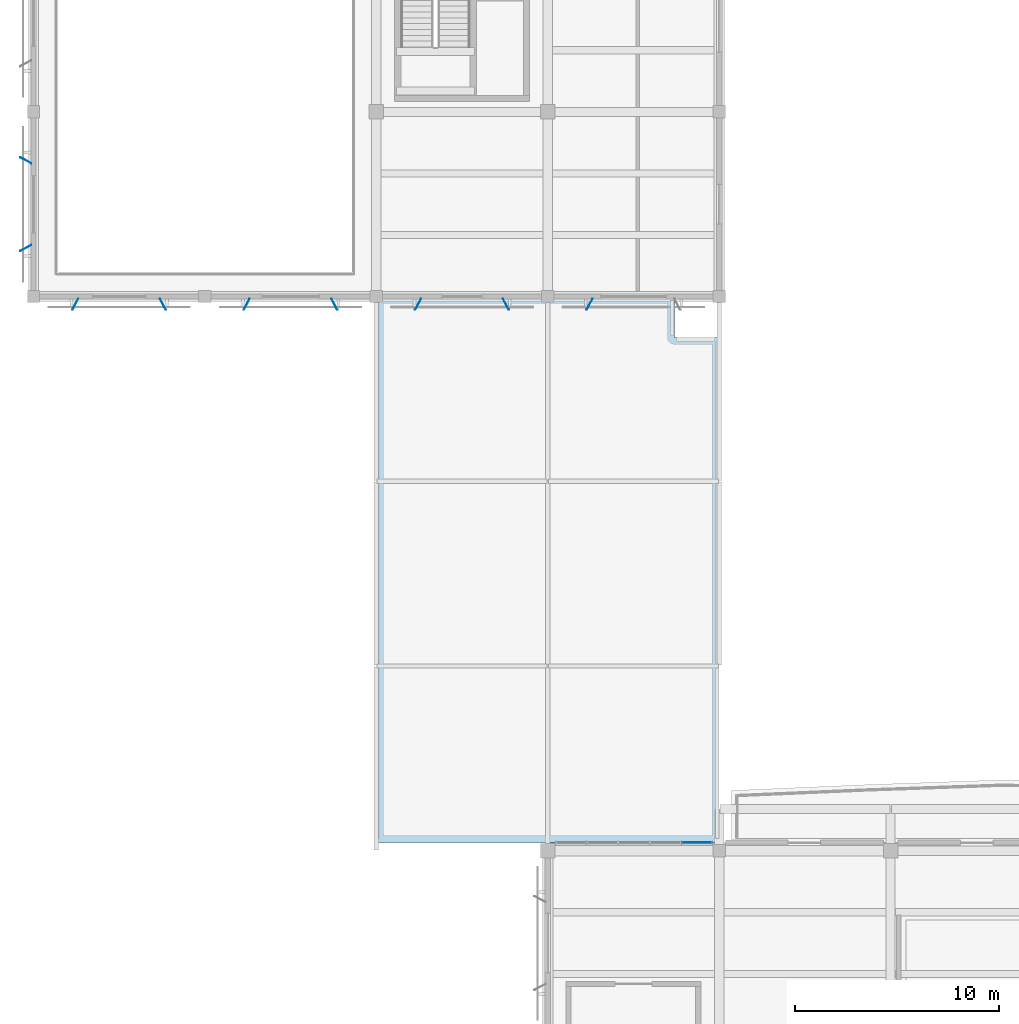
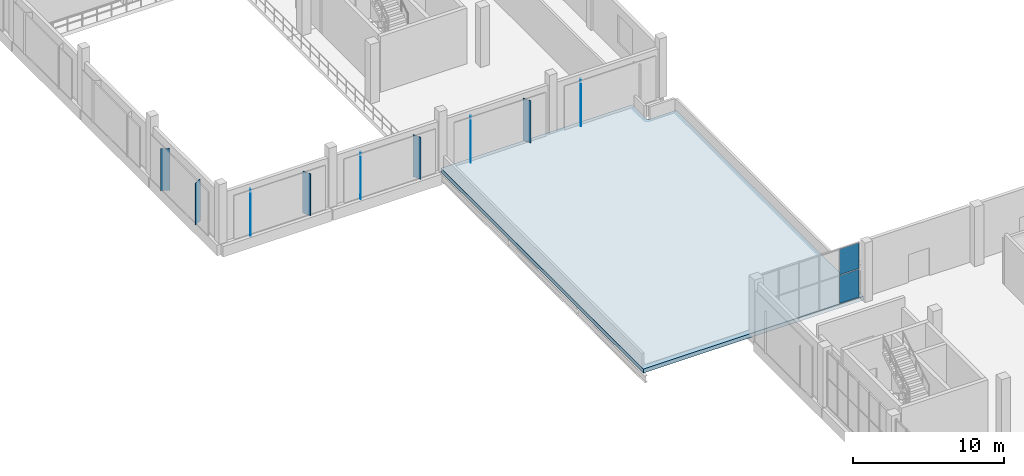
# One storey, part 43 of 80: 11 plates, 1 slab, 1 element without a shape of its own.
"""IFC4 building model written with IfcOpenShell, lengths in metres."""

from ifc_helpers import new_model, si_unit, direction, frame, origin, origin_2d, place, context, subcontext, project, spatial, polyline, rectangle, outline, extrude, material, layer, layer_set, type_object, element, aggregate, save


model = new_model("IFC4")

# Units and contexts
model_context = context("Model", 3, precision=1e-05, world=origin(), true_north=direction((0.0, 1.0)))
body_context = subcontext(model_context, "Body", "Model", "MODEL_VIEW")
ifc_project = project(units=[si_unit("LENGTHUNIT", "METRE"), si_unit("AREAUNIT", "SQUARE_METRE"), si_unit("VOLUMEUNIT", "CUBIC_METRE"), si_unit("PLANEANGLEUNIT", "RADIAN"), si_unit("MASSUNIT", "GRAM", prefix="KILO")], contexts=[model_context])

# Site, building, storey
site_placement = place(None, origin())
site = spatial("IfcSite", under=ifc_project, at=site_placement, CompositionType="ELEMENT")
building_placement = place(site_placement, origin())
building = spatial("IfcBuilding", under=site, at=building_placement, Name="Khurvash Pelagic Aquarium", CompositionType="ELEMENT")
storey_placement = place(building_placement, frame((0.0, 0.0, 10.800048828125)))
storey = spatial("IfcBuildingStorey", under=building, at=storey_placement, Name="L02", CompositionType="ELEMENT", Elevation=10.800048828125)

# Curtain wall, plates
ifc_material_1 = material(Name="Anodised aluminium and low-E laminated glass", Category="aluminium")
curtain_wall_type = type_object("IfcCurtainWallType", Name="CW-06", PredefinedType="USERDEFINED", material=ifc_material_1)
curtain_wall_placement = place(storey_placement, origin())
curtain_wall = element("IfcCurtainWall", 1, at=curtain_wall_placement, inside=storey, type_object=curtain_wall_type, Name="L02 Facade Unitised Curtain Wall CW-06 0160", ObjectType="UNITISED CURTAIN WALL", PredefinedType="USERDEFINED")
ifc_material_2 = material(Name="Low-E laminated double glazing", Category="glass")
ifc_layer_1 = layer(ifc_material_2, 0.030029296875)
ifc_layer_set_1 = layer_set([ifc_layer_1], Name="Low-E laminated double glazing")
plate_type_1 = type_object("IfcPlateType", Name="CG-06", PredefinedType="CURTAIN_PANEL", material=ifc_layer_set_1)
plate_1_placement = place(storey_placement, frame((32.506103515625, 30.14990234375, 0.06005859375), z_axis=(0.0, 0.0, 1.0), x_axis=(-1.0, 0.0, 0.0)))
plate_1 = element("IfcPlate", 2, at=plate_1_placement, type_object=plate_type_1, Name="CW-06 panel 1.1", PredefinedType="CURTAIN_PANEL", context=body_context, shape_type="SweptSolid", body=[
    extrude(rectangle(XDim=1.4580078125, YDim=0.030029296875, at=origin_2d()), origin(), (0.0, 0.0, 1.0), 2.25),
])
plate_2_placement = place(storey_placement, frame((32.506103515625, 30.14990234375, 2.3701171875), z_axis=(0.0, 0.0, 1.0), x_axis=(-1.0, 0.0, 0.0)))
plate_2 = element("IfcPlate", 3, at=plate_2_placement, type_object=plate_type_1, Name="CW-06 panel 1.2", PredefinedType="CURTAIN_PANEL", context=body_context, shape_type="SweptSolid", body=[
    extrude(rectangle(XDim=1.4580078125, YDim=0.030029296875, at=origin_2d()), origin(), (0.0, 0.0, 1.0), 2.070068359375),
])
aggregate(curtain_wall, [plate_1, plate_2])

# Slab
ifc_material_3 = material(Name="Concrete C35/45", Category="concrete")
ifc_layer_2 = layer(ifc_material_3, 0.320068359375)
ifc_layer_set_2 = layer_set([ifc_layer_2], Name="Concrete C35/45")
slab_type = type_object("IfcSlabType", Name="RS-320", PredefinedType="ROOF", material=ifc_layer_set_2)
slab_placement = place(storey_placement, frame((0.0, 0.0, -0.320068359375)))
element("IfcSlab", 4, at=slab_placement, inside=storey, type_object=slab_type, Name="L02 Insulated Concrete Roof Slab RS-320 ROOF_L02_WLINK.1", PredefinedType="ROOF", context=body_context, shape_type="SweptSolid", body=[
    extrude(outline(polyline([(33.60009765625, 30.14990234375), (33.60009765625, 54.89990234375), (31.39990234375, 54.89990234375), (31.39990234375, 56.89990234375), (16.800048828125, 56.89990234375), (16.800048828125, 30.14990234375), (25.199951171875, 30.14990234375), (33.60009765625, 30.14990234375)])), origin(), (0.0, 0.0, 1.0), 0.320068359375),
])

# Plates
ifc_material_4 = material(Name="Anodised aluminium AW-5005", Category="aluminium")
ifc_layer_3 = layer(ifc_material_4, 0.02392578125)
ifc_layer_set_3 = layer_set([ifc_layer_3], Name="Anodised aluminium AW-5005")
plate_type_2 = type_object("IfcPlateType", Name="SP-01", PredefinedType="SHEET", material=ifc_layer_set_3)
for number, where, z_axis, x_axis, name in (
    (5, (-0.3779296875, 63.574951171875, 0.14990234375), (0.0, 0.0, 1.0), (-0.882947592859, 0.469471562786, 0.0), "L02 Parametric Folded Aluminium Solar Screen Fin SP-01 0055"),
    (6, (-0.3779296875, 59.27490234375, 0.14990234375), (0.0, 0.0, 1.0), (-0.882947592859, -0.469471562786, 0.0), "L02 Parametric Folded Aluminium Solar Screen Fin SP-01 0056"),
    (7, (2.050048828125, 56.52197265625, 0.14990234375), (0.0, 0.0, 1.0), (-0.469471562786, -0.882947592859, 0.0), "L02 Parametric Folded Aluminium Solar Screen Fin SP-01 0057"),
    (8, (6.35009765625, 56.52197265625, 0.14990234375), (0.0, 0.0, 1.0), (0.469471562786, -0.882947592859, 0.0), "L02 Parametric Folded Aluminium Solar Screen Fin SP-01 0058"),
    (9, (10.449951171875, 56.52197265625, 0.14990234375), (0.0, 0.0, 1.0), (-0.469471562786, -0.882947592859, 0.0), "L02 Parametric Folded Aluminium Solar Screen Fin SP-01 0059"),
    (10, (14.75, 56.52197265625, 0.14990234375), (0.0, 0.0, 1.0), (0.469471562786, -0.882947592859, 0.0), "L02 Parametric Folded Aluminium Solar Screen Fin SP-01 0060"),
    (11, (18.85009765625, 56.52197265625, 0.14990234375), (0.0, 0.0, 1.0), (-0.469471562786, -0.882947592859, 0.0), "L02 Parametric Folded Aluminium Solar Screen Fin SP-01 0061"),
    (12, (23.14990234375, 56.52197265625, 0.14990234375), (0.0, 0.0, 1.0), (0.469471562786, -0.882947592859, 0.0), "L02 Parametric Folded Aluminium Solar Screen Fin SP-01 0062"),
    (13, (27.25, 56.52197265625, 0.14990234375), (0.0, 0.0, 1.0), (-0.469471562786, -0.882947592859, 0.0), "L02 Parametric Folded Aluminium Solar Screen Fin SP-01 0063"),
):
    element("IfcPlate", number, at=place(storey_placement, frame(where, z_axis=z_axis, x_axis=x_axis)), inside=storey, type_object=plate_type_2, Name=name, PredefinedType="SHEET", context=body_context, shape_type="SweptSolid", body=[
        extrude(rectangle(XDim=0.6201171875, YDim=0.02392578125, at=origin_2d()), origin(), (0.0, 0.0, 1.0), 3.39990234375),
    ])

save(model, "model.ifc")
